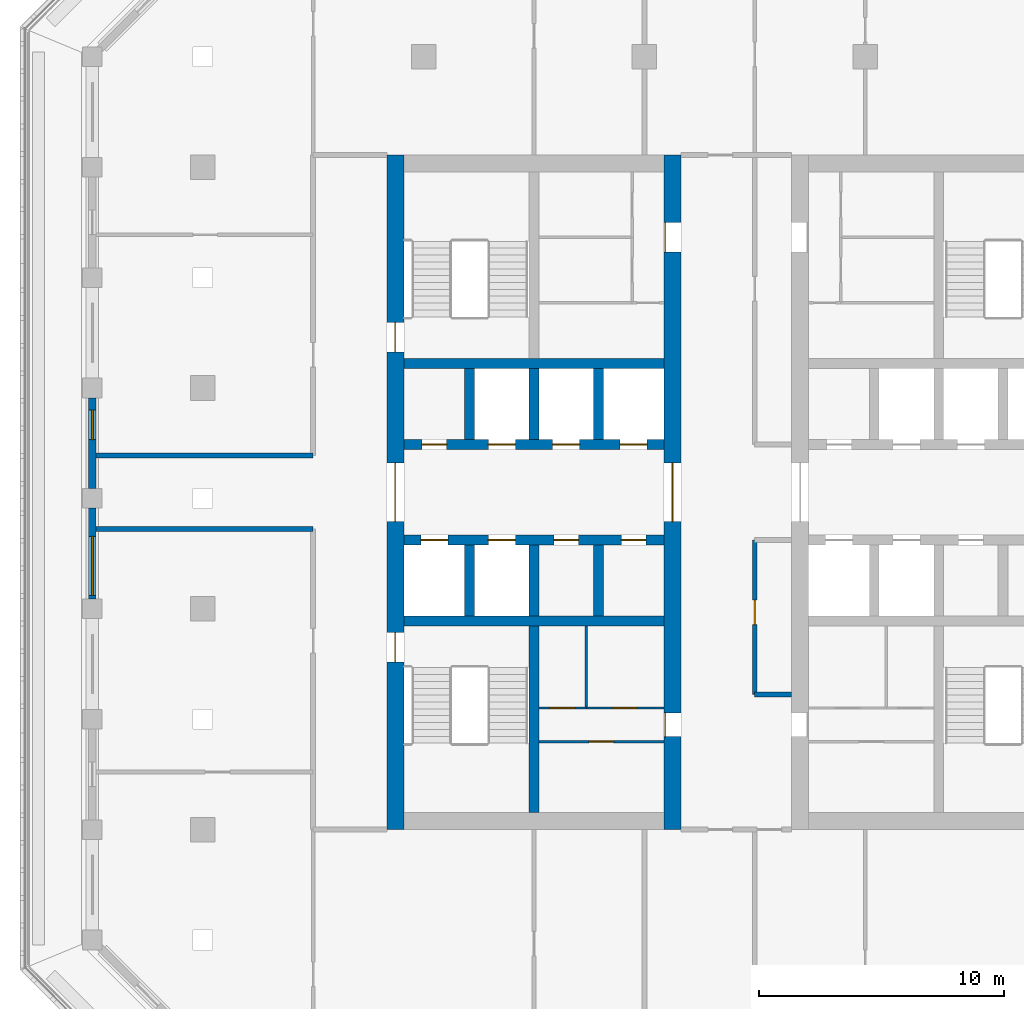
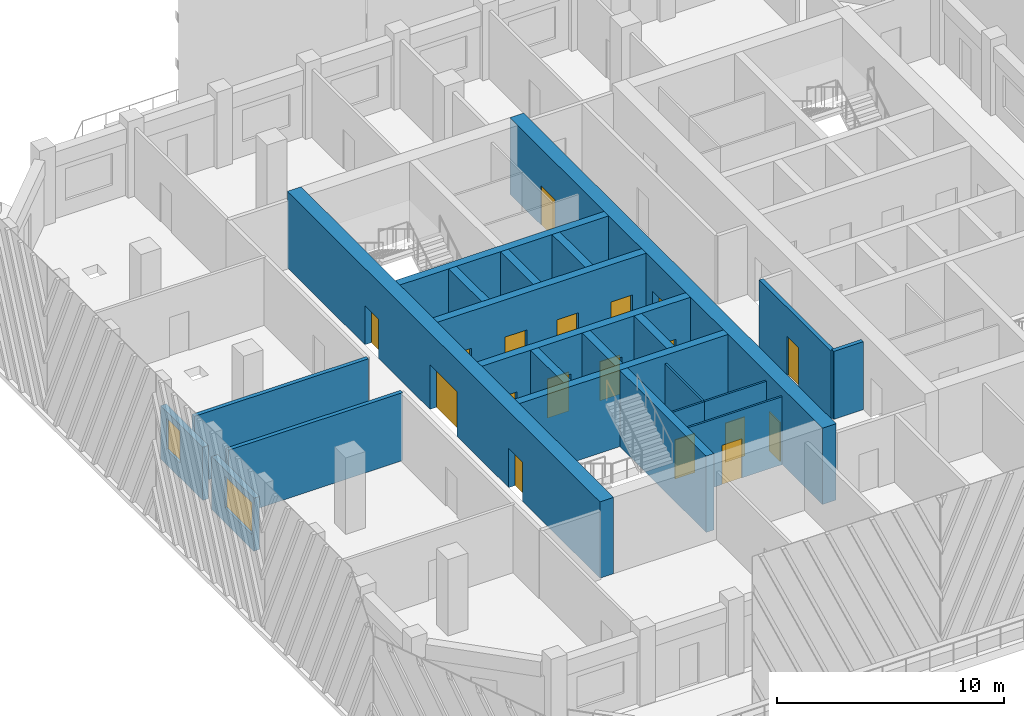
# One storey, part 3 of 14: 23 walls, 18 doors, 2 windows, 20 openings.
"""IFC4 building model written with IfcOpenShell, lengths in metres."""

from ifc_helpers import new_model, si_unit, direction, frame, frame_2d, origin, place, context, subcontext, project, spatial, rectangle, extrude, material, layer, layer_set, type_object, element, fill, save


model = new_model("IFC4")

# Units and contexts
model_context = context("Model", 3, precision=1e-05, world=origin(), true_north=direction((0.0, 1.0)))
body_context = subcontext(model_context, "Body", "Model", "MODEL_VIEW")
ifc_project = project(units=[si_unit("LENGTHUNIT", "METRE"), si_unit("AREAUNIT", "SQUARE_METRE"), si_unit("VOLUMEUNIT", "CUBIC_METRE"), si_unit("PLANEANGLEUNIT", "RADIAN"), si_unit("MASSUNIT", "GRAM", prefix="KILO")], contexts=[model_context])

# Site, building, storey
site_placement = place(None, origin())
site = spatial("IfcSite", under=ifc_project, at=site_placement, CompositionType="ELEMENT")
building_placement = place(site_placement, origin())
building = spatial("IfcBuilding", under=site, at=building_placement, Name="Corbel Stack Research Tower", CompositionType="ELEMENT")
storey_placement = place(building_placement, frame((0.0, 0.0, 266.300048828125)))
storey = spatial("IfcBuildingStorey", under=building, at=storey_placement, Name="L60", CompositionType="ELEMENT", Elevation=266.300048828125)

# Wall
ifc_material_1 = material(Name="Concrete C60/75", Category="concrete")
ifc_layer_1 = layer(ifc_material_1, 0.39990234375)
ifc_layer_set_1 = layer_set([ifc_layer_1], Name="Concrete C60/75")
wall_type_1 = type_object("IfcWallType", Name="CW-400-60", PredefinedType="SHEAR", material=ifc_layer_set_1)
wall_1_placement = place(storey_placement, frame((-9.800048828125, -0.5, 0.0), z_axis=(0.0, 0.0, 1.0), x_axis=(1.0, 0.0, 0.0)))
element("IfcWall", 1, at=wall_1_placement, inside=storey, type_object=wall_type_1, Name="West core wall, south row back L60", PredefinedType="SHEAR", context=body_context, shape_type="SweptSolid", body=[
    extrude(rectangle(XDim=10.60009765625, YDim=0.39990234375, at=frame_2d((5.300048828125, 0.0))), origin(), (0.0, 0.0, 1.0), 4.099853515625),
])

# Wall, openings, doors
wall_2_placement = place(storey_placement, frame((-9.800048828125, 2.800048828125, 0.0), z_axis=(0.0, 0.0, 1.0), x_axis=(1.0, 0.0, 0.0)))
wall_2 = element("IfcWall", 2, at=wall_2_placement, inside=storey, type_object=wall_type_1, Name="West core wall, lobby south L60", PredefinedType="SHEAR", context=body_context, shape_type="SweptSolid", body=[
    extrude(rectangle(XDim=10.60009765625, YDim=0.39990234375, at=frame_2d((5.300048828125, 0.0))), origin(), (0.0, 0.0, 1.0), 4.099853515625),
])
opening_1_placement = place(wall_2_placement, frame((0.6875, 0.0, 0.0)))
opening_1 = element("IfcOpeningElement", 3, at=opening_1_placement, cuts=wall_2, Name="Opening LD-FS1", PredefinedType="OPENING", context=body_context, shape_type="SweptSolid", body=[
    extrude(rectangle(XDim=1.10009765625, YDim=2.10009765625, at=frame_2d((0.550048828125, 1.050048828125))), frame((0.0, 0.2099609375, 0.0), z_axis=(0.0, -1.0, 0.0), x_axis=(1.0, 0.0, 0.0)), (0.0, 0.0, 1.0), 0.419921875),
])
opening_2_placement = place(wall_2_placement, frame((3.4375, 0.0, 0.0)))
opening_2 = element("IfcOpeningElement", 4, at=opening_2_placement, cuts=wall_2, Name="Opening LD-GL1", PredefinedType="OPENING", context=body_context, shape_type="SweptSolid", body=[
    extrude(rectangle(XDim=1.10009765625, YDim=2.10009765625, at=frame_2d((0.550048828125, 1.050048828125))), frame((0.0, 0.2099609375, 0.0), z_axis=(0.0, -1.0, 0.0), x_axis=(1.0, 0.0, 0.0)), (0.0, 0.0, 1.0), 0.419921875),
])
opening_3_placement = place(wall_2_placement, frame((6.112548828125, 0.0, 0.0)))
opening_3 = element("IfcOpeningElement", 5, at=opening_3_placement, cuts=wall_2, Name="Opening CR-W24-S3", PredefinedType="OPENING", context=body_context, shape_type="SweptSolid", body=[
    extrude(rectangle(XDim=1.0, YDim=2.10009765625, at=frame_2d((0.5, 1.050048828125))), frame((0.0, 0.2099609375, 0.0), z_axis=(0.0, -1.0, 0.0), x_axis=(1.0, 0.0, 0.0)), (0.0, 0.0, 1.0), 0.419921875),
])
opening_4_placement = place(wall_2_placement, frame((8.862548828125, 0.0, 0.0)))
opening_4 = element("IfcOpeningElement", 6, at=opening_4_placement, cuts=wall_2, Name="Opening CR-W24-S4", PredefinedType="OPENING", context=body_context, shape_type="SweptSolid", body=[
    extrude(rectangle(XDim=1.0, YDim=2.10009765625, at=frame_2d((0.5, 1.050048828125))), frame((0.0, 0.2099609375, 0.0), z_axis=(0.0, -1.0, 0.0), x_axis=(1.0, 0.0, 0.0)), (0.0, 0.0, 1.0), 0.419921875),
])
ifc_material_2 = material(Name="Stainless steel landing door", Category="steel")
door_type_1 = type_object("IfcDoorType", Name="Lift landing door 1100 x 2100", OperationType="DOUBLE_DOOR_SLIDING", PredefinedType="DOOR", material=ifc_material_2)
door_1_placement = place(opening_1_placement, origin())
door_1 = element("IfcDoor", 7, at=door_1_placement, inside=storey, type_object=door_type_1, Name="Landing door FS1", OperationType="DOUBLE_DOOR_SLIDING", OverallHeight=2.10009765625, OverallWidth=1.10009765625, PredefinedType="DOOR", context=body_context, shape_type="SweptSolid", body=[
    extrude(rectangle(XDim=1.10009765625, YDim=2.10009765625, at=frame_2d((0.550048828125, 1.050048828125))), frame((0.0, 0.02490234375, 0.0), z_axis=(0.0, -1.0, 0.0), x_axis=(1.0, 0.0, 0.0)), (0.0, 0.0, 1.0), 0.050048828125),
])
fill(opening_1, door_1)
door_2_placement = place(opening_2_placement, origin())
door_2 = element("IfcDoor", 8, at=door_2_placement, inside=storey, type_object=door_type_1, Name="Landing door GL1", OperationType="DOUBLE_DOOR_SLIDING", OverallHeight=2.10009765625, OverallWidth=1.10009765625, PredefinedType="DOOR", context=body_context, shape_type="SweptSolid", body=[
    extrude(rectangle(XDim=1.10009765625, YDim=2.10009765625, at=frame_2d((0.550048828125, 1.050048828125))), frame((0.0, 0.02490234375, 0.0), z_axis=(0.0, -1.0, 0.0), x_axis=(1.0, 0.0, 0.0)), (0.0, 0.0, 1.0), 0.050048828125),
])
fill(opening_2, door_2)
ifc_material_3 = material(Name="Painted steel door", Category="steel")
door_type_2 = type_object("IfcDoorType", Name="Service door 1000 x 2100 FD60 left hand", OperationType="SINGLE_SWING_LEFT", PredefinedType="DOOR", material=ifc_material_3)
door_3_placement = place(opening_3_placement, origin())
door_3 = element("IfcDoor", 9, at=door_3_placement, inside=storey, type_object=door_type_2, Name="Staff WC door W core", OperationType="SINGLE_SWING_LEFT", OverallHeight=2.10009765625, OverallWidth=1.0, PredefinedType="DOOR", context=body_context, shape_type="SweptSolid", body=[
    extrude(rectangle(XDim=1.0, YDim=2.10009765625, at=frame_2d((0.5, 1.050048828125))), frame((0.0, 0.02490234375, 0.0), z_axis=(0.0, -1.0, 0.0), x_axis=(1.0, 0.0, 0.0)), (0.0, 0.0, 1.0), 0.050048828125),
])
fill(opening_3, door_3)
ifc_material_4 = material(Name="Painted steel door", Category="steel")
door_type_3 = type_object("IfcDoorType", Name="Service door 1000 x 2100 FD60 right hand", OperationType="SINGLE_SWING_RIGHT", PredefinedType="DOOR", material=ifc_material_4)
door_4_placement = place(opening_4_placement, origin())
door_4 = element("IfcDoor", 10, at=door_4_placement, inside=storey, type_object=door_type_3, Name="Laboratory consumables store door W core", OperationType="SINGLE_SWING_RIGHT", OverallHeight=2.10009765625, OverallWidth=1.0, PredefinedType="DOOR", context=body_context, shape_type="SweptSolid", body=[
    extrude(rectangle(XDim=1.0, YDim=2.10009765625, at=frame_2d((0.5, 1.050048828125))), frame((0.0, 0.02490234375, 0.0), z_axis=(0.0, -1.0, 0.0), x_axis=(1.0, 0.0, 0.0)), (0.0, 0.0, 1.0), 0.050048828125),
])
fill(opening_4, door_4)

wall_3_placement = place(storey_placement, frame((-9.800048828125, 6.699951171875, 0.0), z_axis=(0.0, 0.0, 1.0), x_axis=(1.0, 0.0, 0.0)))
wall_3 = element("IfcWall", 11, at=wall_3_placement, inside=storey, type_object=wall_type_1, Name="West core wall, lobby north L60", PredefinedType="SHEAR", context=body_context, shape_type="SweptSolid", body=[
    extrude(rectangle(XDim=10.60009765625, YDim=0.39990234375, at=frame_2d((5.300048828125, 0.0))), origin(), (0.0, 0.0, 1.0), 4.099853515625),
])
opening_5_placement = place(wall_3_placement, frame((3.4375, 0.0, 0.0)))
opening_5 = element("IfcOpeningElement", 12, at=opening_5_placement, cuts=wall_3, Name="Opening LD-HR1", PredefinedType="OPENING", context=body_context, shape_type="SweptSolid", body=[
    extrude(rectangle(XDim=1.10009765625, YDim=2.10009765625, at=frame_2d((0.550048828125, 1.050048828125))), frame((0.0, 0.2099609375, 0.0), z_axis=(0.0, -1.0, 0.0), x_axis=(1.0, 0.0, 0.0)), (0.0, 0.0, 1.0), 0.419921875),
])
opening_6_placement = place(wall_3_placement, frame((6.0625, 0.0, 0.0)))
opening_6 = element("IfcOpeningElement", 13, at=opening_6_placement, cuts=wall_3, Name="Opening LD-HR2", PredefinedType="OPENING", context=body_context, shape_type="SweptSolid", body=[
    extrude(rectangle(XDim=1.10009765625, YDim=2.10009765625, at=frame_2d((0.550048828125, 1.050048828125))), frame((0.0, 0.2099609375, 0.0), z_axis=(0.0, -1.0, 0.0), x_axis=(1.0, 0.0, 0.0)), (0.0, 0.0, 1.0), 0.419921875),
])
opening_7_placement = place(wall_3_placement, frame((8.8125, 0.0, 0.0)))
opening_7 = element("IfcOpeningElement", 14, at=opening_7_placement, cuts=wall_3, Name="Opening LD-HR3", PredefinedType="OPENING", context=body_context, shape_type="SweptSolid", body=[
    extrude(rectangle(XDim=1.10009765625, YDim=2.10009765625, at=frame_2d((0.550048828125, 1.050048828125))), frame((0.0, 0.2099609375, 0.0), z_axis=(0.0, -1.0, 0.0), x_axis=(1.0, 0.0, 0.0)), (0.0, 0.0, 1.0), 0.419921875),
])
opening_8_placement = place(wall_3_placement, frame((0.737548828125, 0.0, 0.0)))
opening_8 = element("IfcOpeningElement", 15, at=opening_8_placement, cuts=wall_3, Name="Opening CR-W24-N1", PredefinedType="OPENING", context=body_context, shape_type="SweptSolid", body=[
    extrude(rectangle(XDim=1.0, YDim=2.10009765625, at=frame_2d((0.5, 1.050048828125))), frame((0.0, 0.2099609375, 0.0), z_axis=(0.0, -1.0, 0.0), x_axis=(1.0, 0.0, 0.0)), (0.0, 0.0, 1.0), 0.419921875),
])
door_5_placement = place(opening_5_placement, origin())
door_5 = element("IfcDoor", 16, at=door_5_placement, inside=storey, type_object=door_type_1, Name="Landing door HR1", OperationType="DOUBLE_DOOR_SLIDING", OverallHeight=2.10009765625, OverallWidth=1.10009765625, PredefinedType="DOOR", context=body_context, shape_type="SweptSolid", body=[
    extrude(rectangle(XDim=1.10009765625, YDim=2.10009765625, at=frame_2d((0.550048828125, 1.050048828125))), frame((0.0, 0.02490234375, 0.0), z_axis=(0.0, -1.0, 0.0), x_axis=(1.0, 0.0, 0.0)), (0.0, 0.0, 1.0), 0.050048828125),
])
fill(opening_5, door_5)
door_6_placement = place(opening_6_placement, origin())
door_6 = element("IfcDoor", 17, at=door_6_placement, inside=storey, type_object=door_type_1, Name="Landing door HR2", OperationType="DOUBLE_DOOR_SLIDING", OverallHeight=2.10009765625, OverallWidth=1.10009765625, PredefinedType="DOOR", context=body_context, shape_type="SweptSolid", body=[
    extrude(rectangle(XDim=1.10009765625, YDim=2.10009765625, at=frame_2d((0.550048828125, 1.050048828125))), frame((0.0, 0.02490234375, 0.0), z_axis=(0.0, -1.0, 0.0), x_axis=(1.0, 0.0, 0.0)), (0.0, 0.0, 1.0), 0.050048828125),
])
fill(opening_6, door_6)
door_7_placement = place(opening_7_placement, origin())
door_7 = element("IfcDoor", 18, at=door_7_placement, inside=storey, type_object=door_type_1, Name="Landing door HR3", OperationType="DOUBLE_DOOR_SLIDING", OverallHeight=2.10009765625, OverallWidth=1.10009765625, PredefinedType="DOOR", context=body_context, shape_type="SweptSolid", body=[
    extrude(rectangle(XDim=1.10009765625, YDim=2.10009765625, at=frame_2d((0.550048828125, 1.050048828125))), frame((0.0, 0.02490234375, 0.0), z_axis=(0.0, -1.0, 0.0), x_axis=(1.0, 0.0, 0.0)), (0.0, 0.0, 1.0), 0.050048828125),
])
fill(opening_7, door_7)
door_8_placement = place(opening_8_placement, origin())
door_8 = element("IfcDoor", 19, at=door_8_placement, inside=storey, type_object=door_type_2, Name="Cleaner's store door W core", OperationType="SINGLE_SWING_LEFT", OverallHeight=2.10009765625, OverallWidth=1.0, PredefinedType="DOOR", context=body_context, shape_type="SweptSolid", body=[
    extrude(rectangle(XDim=1.0, YDim=2.10009765625, at=frame_2d((0.5, 1.050048828125))), frame((0.0, 0.02490234375, 0.0), z_axis=(0.0, -1.0, 0.0), x_axis=(1.0, 0.0, 0.0)), (0.0, 0.0, 1.0), 0.050048828125),
])
fill(opening_8, door_8)

# Walls
wall_4_placement = place(storey_placement, frame((-9.800048828125, 10.0, 0.0), z_axis=(0.0, 0.0, 1.0), x_axis=(1.0, 0.0, 0.0)))
element("IfcWall", 20, at=wall_4_placement, inside=storey, type_object=wall_type_1, Name="West core wall, north row back L60", PredefinedType="SHEAR", context=body_context, shape_type="SweptSolid", body=[
    extrude(rectangle(XDim=10.60009765625, YDim=0.39990234375, at=frame_2d((5.300048828125, 0.0))), origin(), (0.0, 0.0, 1.0), 4.099853515625),
])
for number, where, z_axis, x_axis, name in (
    (21, (-7.125, -0.300048828125, 0.0), (0.0, 0.0, 1.0), (0.0, 1.0, 0.0), "West core wall, south shaft 1 L60"),
    (22, (-7.125, 6.89990234375, 0.0), (0.0, 0.0, 1.0), (0.0, 1.0, 0.0), "West core wall, north shaft 1 L60"),
    (23, (-4.5, -0.300048828125, 0.0), (0.0, 0.0, 1.0), (0.0, 1.0, 0.0), "West core wall, south shaft 2 L60"),
    (24, (-4.5, 6.89990234375, 0.0), (0.0, 0.0, 1.0), (0.0, 1.0, 0.0), "West core wall, north shaft 2 L60"),
    (25, (-1.875, -0.300048828125, 0.0), (0.0, 0.0, 1.0), (0.0, 1.0, 0.0), "West core wall, south shaft 3 L60"),
    (26, (-1.875, 6.89990234375, 0.0), (0.0, 0.0, 1.0), (0.0, 1.0, 0.0), "West core wall, north shaft 3 L60"),
):
    element("IfcWall", number, at=place(storey_placement, frame(where, z_axis=z_axis, x_axis=x_axis)), inside=storey, type_object=wall_type_1, Name=name, PredefinedType="SHEAR", context=body_context, shape_type="SweptSolid", body=[
        extrude(rectangle(XDim=2.900146484375, YDim=0.39990234375, at=frame_2d((1.4501953125, 0.0))), origin(), (0.0, 0.0, 1.0), 4.099853515625),
    ])
wall_5_placement = place(storey_placement, frame((-4.5, -8.300048828125, 0.0), z_axis=(0.0, 0.0, 1.0), x_axis=(0.0, 1.0, 0.0)))
element("IfcWall", 27, at=wall_5_placement, inside=storey, type_object=wall_type_1, Name="West core wall, south stair and WC L60", PredefinedType="SHEAR", context=body_context, shape_type="SweptSolid", body=[
    extrude(rectangle(XDim=7.60009765625, YDim=0.39990234375, at=frame_2d((3.800048828125, 0.0))), origin(), (0.0, 0.0, 1.0), 4.099853515625),
])

# Wall, openings, doors
ifc_material_5 = material(Name="Concrete C60/75", Category="concrete")
ifc_layer_2 = layer(ifc_material_5, 0.699951171875)
ifc_layer_set_2 = layer_set([ifc_layer_2], Name="Concrete C60/75")
wall_type_2 = type_object("IfcWallType", Name="CW-700-60", PredefinedType="SHEAR", material=ifc_layer_set_2)
wall_6_placement = place(storey_placement, frame((-10.14990234375, -9.0, 0.0), z_axis=(0.0, 0.0, 1.0), x_axis=(0.0, 1.0, 0.0)))
wall_6 = element("IfcWall", 28, at=wall_6_placement, inside=storey, type_object=wall_type_2, Name="West core wall, west face L60", PredefinedType="SHEAR", context=body_context, shape_type="SweptSolid", body=[
    extrude(rectangle(XDim=27.5, YDim=0.699951171875, at=frame_2d((13.75, 0.0))), origin(), (0.0, 0.0, 1.0), 4.099853515625),
])
opening_9_placement = place(wall_6_placement, frame((12.550048828125, 0.0, 0.0)))
opening_9 = element("IfcOpeningElement", 29, at=opening_9_placement, cuts=wall_6, Name="Opening CD-W-W", PredefinedType="OPENING", context=body_context, shape_type="SweptSolid", body=[
    extrude(rectangle(XDim=2.39990234375, YDim=2.39990234375, at=frame_2d((1.199951171875, 1.199951171875))), frame((0.0, 0.35986328125, 0.0), z_axis=(0.0, -1.0, 0.0), x_axis=(1.0, 0.0, 0.0)), (0.0, 0.0, 1.0), 0.719970703125),
])
opening_10_placement = place(wall_6_placement, frame((6.824951171875, 0.0, 0.0)))
opening_10 = element("IfcOpeningElement", 30, at=opening_10_placement, cuts=wall_6, Name="Opening SD-ST-W1", PredefinedType="OPENING", context=body_context, shape_type="SweptSolid", body=[
    extrude(rectangle(XDim=1.199951171875, YDim=2.10009765625, at=frame_2d((0.60009765625, 1.050048828125))), frame((0.0, 0.35986328125, 0.0), z_axis=(0.0, -1.0, 0.0), x_axis=(1.0, 0.0, 0.0)), (0.0, 0.0, 1.0), 0.719970703125),
])
opening_11_placement = place(wall_6_placement, frame((19.47509765625, 0.0, 0.0)))
opening_11 = element("IfcOpeningElement", 31, at=opening_11_placement, cuts=wall_6, Name="Opening SD-ST-W2", PredefinedType="OPENING", context=body_context, shape_type="SweptSolid", body=[
    extrude(rectangle(XDim=1.199951171875, YDim=2.10009765625, at=frame_2d((0.60009765625, 1.050048828125))), frame((0.0, 0.35986328125, 0.0), z_axis=(0.0, -1.0, 0.0), x_axis=(1.0, 0.0, 0.0)), (0.0, 0.0, 1.0), 0.719970703125),
])
ifc_material_6 = material(Name="Painted steel fire door", Category="steel")
door_type_4 = type_object("IfcDoorType", Name="Lobby door pair 2400 x 2400 FD30S", OperationType="DOUBLE_DOOR_DOUBLE_SWING", PredefinedType="DOOR", material=ifc_material_6)
door_9_placement = place(opening_9_placement, origin())
door_9 = element("IfcDoor", 32, at=door_9_placement, inside=storey, type_object=door_type_4, Name="Lift lobby door W core W", OperationType="DOUBLE_DOOR_DOUBLE_SWING", OverallHeight=2.39990234375, OverallWidth=2.39990234375, PredefinedType="DOOR", context=body_context, shape_type="SweptSolid", body=[
    extrude(rectangle(XDim=2.39990234375, YDim=2.39990234375, at=frame_2d((1.199951171875, 1.199951171875))), frame((0.0, 0.02490234375, 0.0), z_axis=(0.0, -1.0, 0.0), x_axis=(1.0, 0.0, 0.0)), (0.0, 0.0, 1.0), 0.050048828125),
])
fill(opening_9, door_9)
ifc_material_7 = material(Name="Painted steel fire door", Category="steel")
door_type_5 = type_object("IfcDoorType", Name="Stair door 1200 x 2100 FD90 left hand", OperationType="SINGLE_SWING_LEFT", PredefinedType="DOOR", material=ifc_material_7)
door_10_placement = place(opening_10_placement, origin())
door_10 = element("IfcDoor", 33, at=door_10_placement, inside=storey, type_object=door_type_5, Name="Stair door ST-W1", OperationType="SINGLE_SWING_LEFT", OverallHeight=2.10009765625, OverallWidth=1.199951171875, PredefinedType="DOOR", context=body_context, shape_type="SweptSolid", body=[
    extrude(rectangle(XDim=1.199951171875, YDim=2.10009765625, at=frame_2d((0.60009765625, 1.050048828125))), frame((0.0, 0.02490234375, 0.0), z_axis=(0.0, -1.0, 0.0), x_axis=(1.0, 0.0, 0.0)), (0.0, 0.0, 1.0), 0.050048828125),
])
fill(opening_10, door_10)
door_11_placement = place(opening_11_placement, origin())
door_11 = element("IfcDoor", 34, at=door_11_placement, inside=storey, type_object=door_type_5, Name="Stair door ST-W2", OperationType="SINGLE_SWING_LEFT", OverallHeight=2.10009765625, OverallWidth=1.199951171875, PredefinedType="DOOR", context=body_context, shape_type="SweptSolid", body=[
    extrude(rectangle(XDim=1.199951171875, YDim=2.10009765625, at=frame_2d((0.60009765625, 1.050048828125))), frame((0.0, 0.02490234375, 0.0), z_axis=(0.0, -1.0, 0.0), x_axis=(1.0, 0.0, 0.0)), (0.0, 0.0, 1.0), 0.050048828125),
])
fill(opening_11, door_11)

wall_7_placement = place(storey_placement, frame((1.14990234375, -9.0, 0.0), z_axis=(0.0, 0.0, 1.0), x_axis=(0.0, 1.0, 0.0)))
wall_7 = element("IfcWall", 35, at=wall_7_placement, inside=storey, type_object=wall_type_2, Name="West core wall, east face L60", PredefinedType="SHEAR", context=body_context, shape_type="SweptSolid", body=[
    extrude(rectangle(XDim=27.5, YDim=0.699951171875, at=frame_2d((13.75, 0.0))), origin(), (0.0, 0.0, 1.0), 4.099853515625),
])
opening_12_placement = place(wall_7_placement, frame((12.550048828125, 0.0, 0.0)))
opening_12 = element("IfcOpeningElement", 36, at=opening_12_placement, cuts=wall_7, Name="Opening CD-W-E", PredefinedType="OPENING", context=body_context, shape_type="SweptSolid", body=[
    extrude(rectangle(XDim=2.39990234375, YDim=2.39990234375, at=frame_2d((1.199951171875, 1.199951171875))), frame((0.0, 0.35986328125, 0.0), z_axis=(0.0, -1.0, 0.0), x_axis=(1.0, 0.0, 0.0)), (0.0, 0.0, 1.0), 0.719970703125),
])
opening_13_placement = place(wall_7_placement, frame((3.7880859375, 0.0, 0.0)))
opening_13 = element("IfcOpeningElement", 37, at=opening_13_placement, cuts=wall_7, Name="Opening CR-W24-W1-968", PredefinedType="OPENING", context=body_context, shape_type="SweptSolid", body=[
    extrude(rectangle(XDim=0.968017578125, YDim=2.10009765625, at=frame_2d((0.48388671875, 1.050048828125))), frame((0.0, 0.35986328125, 0.0), z_axis=(0.0, -1.0, 0.0), x_axis=(1.0, 0.0, 0.0)), (0.0, 0.0, 1.0), 0.719970703125),
])
opening_14_placement = place(wall_7_placement, frame((23.5400390625, 0.0, 0.0)))
opening_14 = element("IfcOpeningElement", 38, at=opening_14_placement, cuts=wall_7, Name="Opening CR-W24-R2-1200", PredefinedType="OPENING", context=body_context, shape_type="SweptSolid", body=[
    extrude(rectangle(XDim=1.199951171875, YDim=2.10009765625, at=frame_2d((0.60009765625, 1.050048828125))), frame((0.0, 0.35986328125, 0.0), z_axis=(0.0, -1.0, 0.0), x_axis=(1.0, 0.0, 0.0)), (0.0, 0.0, 1.0), 0.719970703125),
])
door_12_placement = place(opening_12_placement, origin())
door_12 = element("IfcDoor", 39, at=door_12_placement, inside=storey, type_object=door_type_4, Name="Lift lobby door W core E", OperationType="DOUBLE_DOOR_DOUBLE_SWING", OverallHeight=2.39990234375, OverallWidth=2.39990234375, PredefinedType="DOOR", context=body_context, shape_type="SweptSolid", body=[
    extrude(rectangle(XDim=2.39990234375, YDim=2.39990234375, at=frame_2d((1.199951171875, 1.199951171875))), frame((0.0, 0.02490234375, 0.0), z_axis=(0.0, -1.0, 0.0), x_axis=(1.0, 0.0, 0.0)), (0.0, 0.0, 1.0), 0.050048828125),
])
fill(opening_12, door_12)
ifc_material_8 = material(Name="Painted steel door", Category="steel")
door_type_6 = type_object("IfcDoorType", Name="Service door 1200 x 2100 FD30 right hand", OperationType="SINGLE_SWING_RIGHT", PredefinedType="DOOR", material=ifc_material_8)
door_13_placement = place(opening_14_placement, origin())
door_13 = element("IfcDoor", 40, at=door_13_placement, inside=storey, type_object=door_type_6, Name="Service passage door W core", OperationType="SINGLE_SWING_RIGHT", OverallHeight=2.10009765625, OverallWidth=1.199951171875, PredefinedType="DOOR", context=body_context, shape_type="SweptSolid", body=[
    extrude(rectangle(XDim=1.199951171875, YDim=2.10009765625, at=frame_2d((0.60009765625, 1.050048828125))), frame((0.0, 0.3251953125, 0.0), z_axis=(0.0, -1.0, 0.0), x_axis=(1.0, 0.0, 0.0)), (0.0, 0.0, 1.0), 0.050048828125),
])
fill(opening_14, door_13)
ifc_material_9 = material(Name="Painted timber door", Category="wood")
door_type_7 = type_object("IfcDoorType", Name="WC door 968 x 2100 left hand", OperationType="SINGLE_SWING_LEFT", PredefinedType="DOOR", material=ifc_material_9)
door_14_placement = place(opening_13_placement, origin())
door_14 = element("IfcDoor", 41, at=door_14_placement, inside=storey, type_object=door_type_7, Name="WC lobby door W core", OperationType="SINGLE_SWING_LEFT", OverallHeight=2.10009765625, OverallWidth=0.968017578125, PredefinedType="DOOR", context=body_context, shape_type="SweptSolid", body=[
    extrude(rectangle(XDim=0.968017578125, YDim=2.10009765625, at=frame_2d((0.48388671875, 1.050048828125))), frame((0.0, 0.3251953125, 0.0), z_axis=(0.0, -1.0, 0.0), x_axis=(1.0, 0.0, 0.0)), (0.0, 0.0, 1.0), 0.050048828125),
])
fill(opening_13, door_14)

# Wall, opening, door
ifc_material_10 = material(Name="Gypsum board")
ifc_layer_3 = layer(ifc_material_10, 0.10009765625)
ifc_layer_set_3 = layer_set([ifc_layer_3], Name="Gypsum board")
wall_type_3 = type_object("IfcWallType", Name="Core partition 100", PredefinedType="PARTITIONING", material=ifc_layer_set_3)
wall_8_placement = place(storey_placement, frame((-4.300048828125, -5.412109375, 0.0), z_axis=(0.0, 0.0, 1.0), x_axis=(1.0, 0.0, 0.0)))
wall_8 = element("IfcWall", 42, at=wall_8_placement, inside=storey, type_object=wall_type_3, Name="Core partition W", PredefinedType="PARTITIONING", context=body_context, shape_type="SweptSolid", body=[
    extrude(rectangle(XDim=5.10009765625, YDim=0.10009765625, at=frame_2d((2.550048828125, 0.0))), origin(), (0.0, 0.0, 1.0), 3.64990234375),
])
opening_15_placement = place(wall_8_placement, frame((2.050048828125, 0.0, 0.0)))
opening_15 = element("IfcOpeningElement", 43, at=opening_15_placement, cuts=wall_8, Name="Opening CR-W24-W2-1000", PredefinedType="OPENING", context=body_context, shape_type="SweptSolid", body=[
    extrude(rectangle(XDim=1.0, YDim=2.10009765625, at=frame_2d((0.5, 1.050048828125))), frame((0.0, 0.06005859375, 0.0), z_axis=(0.0, -1.0, 0.0), x_axis=(1.0, 0.0, 0.0)), (0.0, 0.0, 1.0), 0.1201171875),
])
ifc_material_11 = material(Name="Painted timber door", Category="wood")
door_type_8 = type_object("IfcDoorType", Name="WC door 1000 x 2100 right hand", OperationType="SINGLE_SWING_RIGHT", PredefinedType="DOOR", material=ifc_material_11)
door_15_placement = place(opening_15_placement, origin())
door_15 = element("IfcDoor", 44, at=door_15_placement, inside=storey, type_object=door_type_8, Name="Men's WC door W core", OperationType="SINGLE_SWING_RIGHT", OverallHeight=2.10009765625, OverallWidth=1.0, PredefinedType="DOOR", context=body_context, shape_type="SweptSolid", body=[
    extrude(rectangle(XDim=1.0, YDim=2.10009765625, at=frame_2d((0.5, 1.050048828125))), frame((0.0, 0.02490234375, 0.0), z_axis=(0.0, -1.0, 0.0), x_axis=(1.0, 0.0, 0.0)), (0.0, 0.0, 1.0), 0.050048828125),
])
fill(opening_15, door_15)

wall_9_placement = place(storey_placement, frame((-2.362060546875, -4.0439453125, 0.0), z_axis=(0.0, 0.0, 1.0), x_axis=(1.0, 0.0, 0.0)))
wall_9 = element("IfcWall", 45, at=wall_9_placement, inside=storey, type_object=wall_type_3, Name="Core partition W", PredefinedType="PARTITIONING", context=body_context, shape_type="SweptSolid", body=[
    extrude(rectangle(XDim=3.162109375, YDim=0.10009765625, at=frame_2d((1.5810546875, 0.0))), origin(), (0.0, 0.0, 1.0), 3.64990234375),
])
opening_16_placement = place(wall_9_placement, frame((1.0810546875, 0.0, 0.0)))
opening_16 = element("IfcOpeningElement", 46, at=opening_16_placement, cuts=wall_9, Name="Opening CR-W24-W3-1000", PredefinedType="OPENING", context=body_context, shape_type="SweptSolid", body=[
    extrude(rectangle(XDim=1.0, YDim=2.10009765625, at=frame_2d((0.5, 1.050048828125))), frame((0.0, 0.06005859375, 0.0), z_axis=(0.0, -1.0, 0.0), x_axis=(1.0, 0.0, 0.0)), (0.0, 0.0, 1.0), 0.1201171875),
])
ifc_material_12 = material(Name="Painted timber door", Category="wood")
door_type_9 = type_object("IfcDoorType", Name="WC door 1000 x 2100 left hand", OperationType="SINGLE_SWING_LEFT", PredefinedType="DOOR", material=ifc_material_12)
door_16_placement = place(opening_16_placement, origin())
door_16 = element("IfcDoor", 47, at=door_16_placement, inside=storey, type_object=door_type_9, Name="Women's WC door W core", OperationType="SINGLE_SWING_LEFT", OverallHeight=2.10009765625, OverallWidth=1.0, PredefinedType="DOOR", context=body_context, shape_type="SweptSolid", body=[
    extrude(rectangle(XDim=1.0, YDim=2.10009765625, at=frame_2d((0.5, 1.050048828125))), frame((0.0, 0.02490234375, 0.0), z_axis=(0.0, -1.0, 0.0), x_axis=(1.0, 0.0, 0.0)), (0.0, 0.0, 1.0), 0.050048828125),
])
fill(opening_16, door_16)

wall_10_placement = place(storey_placement, frame((-4.300048828125, -4.0439453125, 0.0), z_axis=(0.0, 0.0, 1.0), x_axis=(1.0, 0.0, 0.0)))
wall_10 = element("IfcWall", 48, at=wall_10_placement, inside=storey, type_object=wall_type_3, Name="Core partition W", PredefinedType="PARTITIONING", context=body_context, shape_type="SweptSolid", body=[
    extrude(rectangle(XDim=1.93798828125, YDim=0.10009765625, at=frame_2d((0.968994140625, 0.0))), origin(), (0.0, 0.0, 1.0), 3.64990234375),
])
opening_17_placement = place(wall_10_placement, frame((0.468994140625, 0.0, 0.0)))
opening_17 = element("IfcOpeningElement", 49, at=opening_17_placement, cuts=wall_10, Name="Opening CR-W24-W4-1000", PredefinedType="OPENING", context=body_context, shape_type="SweptSolid", body=[
    extrude(rectangle(XDim=1.0, YDim=2.10009765625, at=frame_2d((0.5, 1.050048828125))), frame((0.0, 0.06005859375, 0.0), z_axis=(0.0, -1.0, 0.0), x_axis=(1.0, 0.0, 0.0)), (0.0, 0.0, 1.0), 0.1201171875),
])
door_17_placement = place(opening_17_placement, origin())
door_17 = element("IfcDoor", 50, at=door_17_placement, inside=storey, type_object=door_type_8, Name="Accessible WC door W core", OperationType="SINGLE_SWING_RIGHT", OverallHeight=2.10009765625, OverallWidth=1.0, PredefinedType="DOOR", context=body_context, shape_type="SweptSolid", body=[
    extrude(rectangle(XDim=1.0, YDim=2.10009765625, at=frame_2d((0.5, 1.050048828125))), frame((0.0, 0.02490234375, 0.0), z_axis=(0.0, -1.0, 0.0), x_axis=(1.0, 0.0, 0.0)), (0.0, 0.0, 1.0), 0.050048828125),
])
fill(opening_17, door_17)

# Wall
wall_11_placement = place(storey_placement, frame((-2.362060546875, -4.0439453125, 0.0), z_axis=(0.0, 0.0, 1.0), x_axis=(0.0, 1.0, 0.0)))
element("IfcWall", 51, at=wall_11_placement, inside=storey, type_object=wall_type_3, Name="Core partition W", PredefinedType="PARTITIONING", context=body_context, shape_type="SweptSolid", body=[
    extrude(rectangle(XDim=3.343994140625, YDim=0.10009765625, at=frame_2d((1.671875, 0.0))), origin(), (0.0, 0.0, 1.0), 3.64990234375),
])

# Wall, opening, door
ifc_material_13 = material(Name="Fire-rated gypsum board partition on steel studs", Category="steel")
ifc_layer_4 = layer(ifc_material_13, 0.199951171875)
ifc_layer_set_4 = layer_set([ifc_layer_4], Name="Fire-rated gypsum board partition on steel studs")
wall_type_4 = type_object("IfcWallType", Name="Fire-rated partition 200 EI 60", PredefinedType="PARTITIONING", material=ifc_layer_set_4)
wall_12_placement = place(storey_placement, frame((4.5, 2.800048828125, 0.0), z_axis=(0.0, 0.0, 1.0), x_axis=(0.0, -1.0, 0.0)))
wall_12 = element("IfcWall", 52, at=wall_12_placement, inside=storey, type_object=wall_type_4, Name="Partition L60-012", PredefinedType="PARTITIONING", context=body_context, shape_type="SweptSolid", body=[
    extrude(rectangle(XDim=6.300048828125, YDim=0.199951171875, at=frame_2d((3.14990234375, 0.0))), origin(), (0.0, 0.0, 1.0), 3.64990234375),
])
opening_18_placement = place(wall_12_placement, frame((2.449951171875, 0.0, 0.0)))
opening_18 = element("IfcOpeningElement", 53, at=opening_18_placement, cuts=wall_12, Name="Opening B8V0H-011", PredefinedType="OPENING", context=body_context, shape_type="SweptSolid", body=[
    extrude(rectangle(XDim=1.0, YDim=2.10009765625, at=frame_2d((0.5, 1.050048828125))), frame((0.0, 0.10986328125, 0.0), z_axis=(0.0, -1.0, 0.0), x_axis=(1.0, 0.0, 0.0)), (0.0, 0.0, 1.0), 0.219970703125),
])
ifc_material_14 = material(Name="Painted steel fire door", Category="steel")
door_type_10 = type_object("IfcDoorType", Name="Fire door FD30S 1000 x 2100", OperationType="NOTDEFINED", PredefinedType="DOOR", material=ifc_material_14)
door_18_placement = place(opening_18_placement, origin())
door_18 = element("IfcDoor", 54, at=door_18_placement, inside=storey, type_object=door_type_10, Name="Door B8V0H-011", OperationType="SINGLE_SWING_LEFT", OverallHeight=2.10009765625, OverallWidth=1.0, PredefinedType="DOOR", context=body_context, shape_type="SweptSolid", body=[
    extrude(rectangle(XDim=1.0, YDim=2.10009765625, at=frame_2d((0.5, 1.050048828125))), frame((0.0, 0.02490234375, 0.0), z_axis=(0.0, -1.0, 0.0), x_axis=(1.0, 0.0, 0.0)), (0.0, 0.0, 1.0), 0.050048828125),
])
fill(opening_18, door_18)

# Walls
wall_13_placement = place(storey_placement, frame((4.5, -3.5, 0.0), z_axis=(0.0, 0.0, 1.0), x_axis=(1.0, 0.0, 0.0)))
element("IfcWall", 55, at=wall_13_placement, inside=storey, type_object=wall_type_4, Name="Partition L60-024", PredefinedType="PARTITIONING", context=body_context, shape_type="SweptSolid", body=[
    extrude(rectangle(XDim=1.5, YDim=0.199951171875, at=frame_2d((0.75, 0.0))), origin(), (0.0, 0.0, 1.0), 3.64990234375),
])
for number, where, z_axis, x_axis, name in (
    (56, (-22.35009765625, 3.25, 0.0), (0.0, 0.0, 1.0), (1.0, 0.0, 0.0), "Partition L60-026"),
    (57, (-22.35009765625, 6.25, 0.0), (0.0, 0.0, 1.0), (1.0, 0.0, 0.0), "Partition L60-027"),
):
    element("IfcWall", number, at=place(storey_placement, frame(where, z_axis=z_axis, x_axis=x_axis)), inside=storey, type_object=wall_type_4, Name=name, PredefinedType="PARTITIONING", context=body_context, shape_type="SweptSolid", body=[
        extrude(rectangle(XDim=8.85009765625, YDim=0.199951171875, at=frame_2d((4.425048828125, 0.0))), origin(), (0.0, 0.0, 1.0), 3.64990234375),
    ])

# Wall, opening, window
ifc_material_15 = material(Name="Concrete C45/55", Category="concrete")
ifc_layer_5 = layer(ifc_material_15, 0.300048828125)
ifc_layer_set_5 = layer_set([ifc_layer_5], Name="Concrete C45/55")
wall_type_5 = type_object("IfcWallType", Name="Terracotta-faced concrete wall 300", PredefinedType="SOLIDWALL", material=ifc_layer_set_5)
wall_14_placement = place(storey_placement, frame((-22.5, 4.89990234375, 0.0), z_axis=(0.0, 0.0, 1.0), x_axis=(0.0, 1.0, 0.0)))
wall_14 = element("IfcWall", 58, at=wall_14_placement, inside=storey, type_object=wall_type_5, Name="Facade wall L60 W04", PredefinedType="SOLIDWALL", context=body_context, shape_type="SweptSolid", body=[
    extrude(rectangle(XDim=3.7001953125, YDim=0.300048828125, at=frame_2d((1.85009765625, 0.0))), origin(), (0.0, 0.0, 1.0), 2.849853515625),
])
opening_19_placement = place(wall_14_placement, frame((2.0, 0.0, 0.800048828125)))
opening_19 = element("IfcOpeningElement", 59, at=opening_19_placement, cuts=wall_14, Name="Opening W2", PredefinedType="OPENING", context=body_context, shape_type="SweptSolid", body=[
    extrude(rectangle(XDim=1.199951171875, YDim=1.699951171875, at=frame_2d((0.60009765625, 0.85009765625))), frame((0.0, 0.159912109375, 0.0), z_axis=(0.0, -1.0, 0.0), x_axis=(1.0, 0.0, 0.0)), (0.0, 0.0, 1.0), 0.320068359375),
])
ifc_material_16 = material(Name="Aluminium frame, clear double glazing", Category="aluminium")
window_type_1 = type_object("IfcWindowType", Name="Window W2 1200 x 1700", PartitioningType="SINGLE_PANEL", PredefinedType="WINDOW", material=ifc_material_16)
window_1_placement = place(opening_19_placement, origin())
window_1 = element("IfcWindow", 60, at=window_1_placement, inside=storey, type_object=window_type_1, Name="Window W2 L60 W04", OverallHeight=1.699951171875, OverallWidth=1.199951171875, PartitioningType="SINGLE_PANEL", PredefinedType="WINDOW", context=body_context, shape_type="SweptSolid", body=[
    extrude(rectangle(XDim=1.199951171875, YDim=1.699951171875, at=frame_2d((0.60009765625, 0.85009765625))), frame((0.0, 0.030029296875, 0.0), z_axis=(0.0, -1.0, 0.0), x_axis=(1.0, 0.0, 0.0)), (0.0, 0.0, 1.0), 0.06005859375),
])
fill(opening_19, window_1)

wall_15_placement = place(storey_placement, frame((-22.5, 0.39990234375, 0.0), z_axis=(0.0, 0.0, 1.0), x_axis=(0.0, 1.0, 0.0)))
wall_15 = element("IfcWall", 61, at=wall_15_placement, inside=storey, type_object=wall_type_5, Name="Facade wall L60 W05", PredefinedType="SOLIDWALL", context=body_context, shape_type="SweptSolid", body=[
    extrude(rectangle(XDim=3.7001953125, YDim=0.300048828125, at=frame_2d((1.85009765625, 0.0))), origin(), (0.0, 0.0, 1.0), 2.849853515625),
])
opening_20_placement = place(wall_15_placement, frame((0.14990234375, 0.0, 0.800048828125)))
opening_20 = element("IfcOpeningElement", 62, at=opening_20_placement, cuts=wall_15, Name="Opening W1", PredefinedType="OPENING", context=body_context, shape_type="SweptSolid", body=[
    extrude(rectangle(XDim=2.39990234375, YDim=1.699951171875, at=frame_2d((1.199951171875, 0.85009765625))), frame((0.0, 0.159912109375, 0.0), z_axis=(0.0, -1.0, 0.0), x_axis=(1.0, 0.0, 0.0)), (0.0, 0.0, 1.0), 0.320068359375),
])
ifc_material_17 = material(Name="Aluminium frame, clear double glazing", Category="aluminium")
window_type_2 = type_object("IfcWindowType", Name="Window W1 2400 x 1700", PartitioningType="SINGLE_PANEL", PredefinedType="WINDOW", material=ifc_material_17)
window_2_placement = place(opening_20_placement, origin())
window_2 = element("IfcWindow", 63, at=window_2_placement, inside=storey, type_object=window_type_2, Name="Window W1 L60 W05", OverallHeight=1.699951171875, OverallWidth=2.39990234375, PartitioningType="SINGLE_PANEL", PredefinedType="WINDOW", context=body_context, shape_type="SweptSolid", body=[
    extrude(rectangle(XDim=2.39990234375, YDim=1.699951171875, at=frame_2d((1.199951171875, 0.85009765625))), frame((0.0, 0.030029296875, 0.0), z_axis=(0.0, -1.0, 0.0), x_axis=(1.0, 0.0, 0.0)), (0.0, 0.0, 1.0), 0.06005859375),
])
fill(opening_20, window_2)

save(model, "model.ifc")
